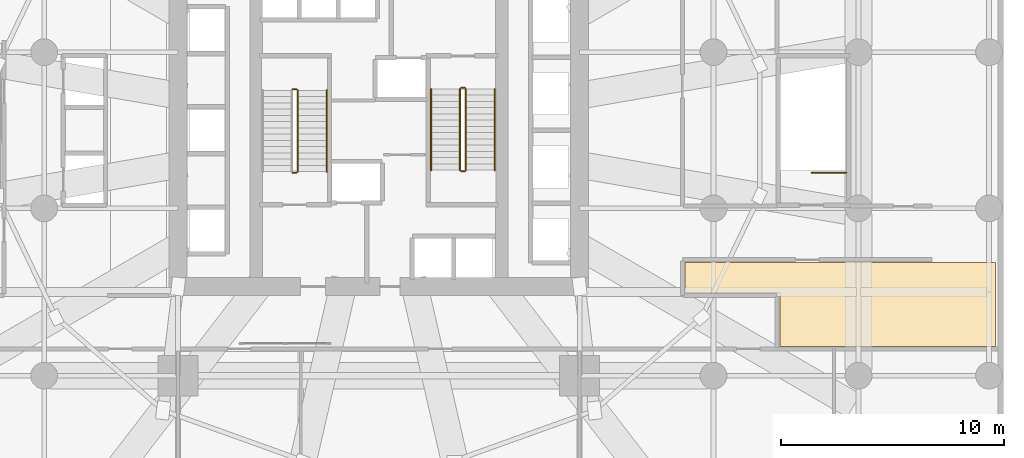
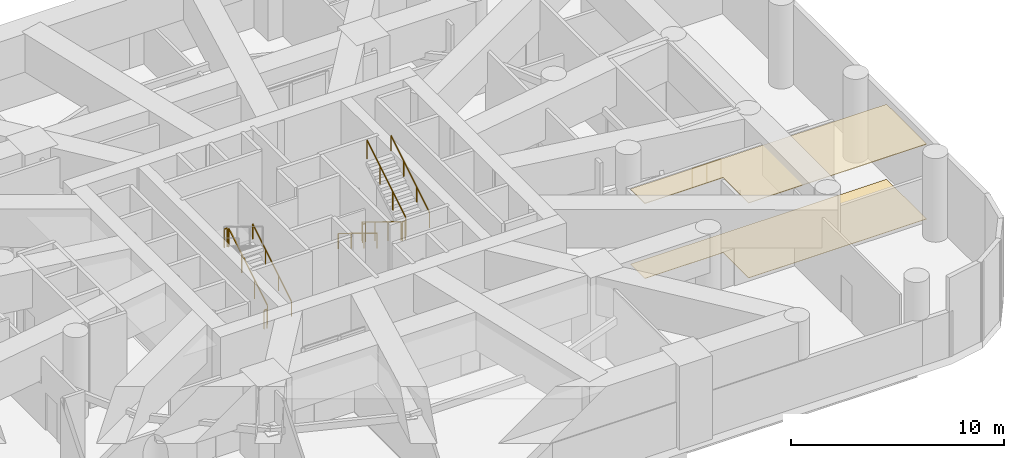
# One storey, part 10 of 10: 11 railings, 2 coverings.
"""IFC4 building model written with IfcOpenShell, lengths in metres."""

from ifc_helpers import new_model, si_unit, direction, frame, origin, origin_2d, place, context, subcontext, project, spatial, polyline, rectangle, outline, extrude, material, layer, layer_set, type_object, element, save


model = new_model("IFC4")

# Units and contexts
model_context = context("Model", 3, precision=1e-05, world=origin(), true_north=direction((0.0, 1.0)))
body_context = subcontext(model_context, "Body", "Model", "MODEL_VIEW")
ifc_project = project(units=[si_unit("LENGTHUNIT", "METRE"), si_unit("AREAUNIT", "SQUARE_METRE"), si_unit("VOLUMEUNIT", "CUBIC_METRE"), si_unit("PLANEANGLEUNIT", "RADIAN"), si_unit("MASSUNIT", "GRAM", prefix="KILO")], contexts=[model_context])

# Site, building, storey
site_placement = place(None, origin())
site = spatial("IfcSite", under=ifc_project, at=site_placement, CompositionType="ELEMENT")
building_placement = place(site_placement, origin())
building = spatial("IfcBuilding", under=site, at=building_placement, Name="Veldorim Arch Residences", CompositionType="ELEMENT")
storey_placement = place(building_placement, frame((0.0, 0.0, 20.0)))
storey = spatial("IfcBuildingStorey", under=building, at=storey_placement, Name="L05", CompositionType="ELEMENT", Elevation=20.0)

# Railings
ifc_material_1 = material(Name="Steel S355", Category="steel")
railing_type_1 = type_object("IfcRailingType", Name="Galvanised Steel Stair Safety Guardrail 1100", PredefinedType="GUARDRAIL", material=ifc_material_1)
railing_1_placement = place(storey_placement, frame((28.360107421875, 22.14990234375, 0.17138671875)))
element("IfcRailing", 1, at=railing_1_placement, inside=storey, type_object=railing_type_1, Name="L05 ST-1 stair guard 1", PredefinedType="GUARDRAIL", context=body_context, shape_type="SweptSolid", body=[
    extrude(rectangle(XDim=0.048095703125, YDim=0.048095703125, at=origin_2d()), frame((0.0, 0.0, 1.076171875), z_axis=(0.0, 0.852865859571, 0.52213008492), x_axis=(-1.0, 0.0, 0.0)), (0.0, 0.0, 1.0), 4.26806640625),
    extrude(rectangle(XDim=0.0419921875, YDim=0.0419921875, at=origin_2d()), origin(), (0.0, 0.0, 1.0), 1.052001953125),
    extrude(rectangle(XDim=0.0419921875, YDim=0.0419921875, at=origin_2d()), frame((0.0, 1.21337890625, 0.742919921875)), (0.0, 0.0, 1.0), 1.052001953125),
    extrude(rectangle(XDim=0.0419921875, YDim=0.0419921875, at=origin_2d()), frame((0.0, 2.4267578125, 1.485595703125)), (0.0, 0.0, 1.0), 1.052001953125),
    extrude(rectangle(XDim=0.0419921875, YDim=0.0419921875, at=origin_2d()), frame((0.0, 3.64013671875, 2.228515625)), (0.0, 0.0, 1.0), 1.052001953125),
])
for number, where, name in (
    (2, (28.31005859375, 25.840087890625, 2.39990234375), "L05 ST-1 stair guard 2"),
    (3, (28.31005859375, 22.10009765625, 0.0), "L05 ST-1 stair guard 4"),
):
    element("IfcRailing", number, at=place(storey_placement, frame(where)), inside=storey, type_object=railing_type_1, Name=name, PredefinedType="GUARDRAIL", context=body_context, shape_type="SweptSolid", body=[
        extrude(rectangle(XDim=0.048095703125, YDim=0.048095703125, at=origin_2d()), frame((0.0, 0.0, 1.076171875), z_axis=(-1.0, 0.0, 0.0), x_axis=(0.0, -1.0, 0.0)), (0.0, 0.0, 1.0), 0.16015625),
        extrude(rectangle(XDim=0.0419921875, YDim=0.0419921875, at=origin_2d()), origin(), (0.0, 0.0, 1.0), 1.052001953125),
        extrude(rectangle(XDim=0.0419921875, YDim=0.0419921875, at=origin_2d()), frame((-0.16015625, 0.0, 0.0)), (0.0, 0.0, 1.0), 1.052001953125),
    ])
railing_2_placement = place(storey_placement, frame((35.639892578125, 25.85009765625, 0.17138671875)))
element("IfcRailing", 4, at=railing_2_placement, inside=storey, type_object=railing_type_1, Name="L05 ST-2 stair guard 1", PredefinedType="GUARDRAIL", context=body_context, shape_type="SweptSolid", body=[
    extrude(rectangle(XDim=0.048095703125, YDim=0.048095703125, at=origin_2d()), frame((0.0, 0.0, 1.076171875), z_axis=(0.0, -0.852865859571, 0.52213008492), x_axis=(1.0, 0.0, 0.0)), (0.0, 0.0, 1.0), 4.26806640625),
    extrude(rectangle(XDim=0.0419921875, YDim=0.0419921875, at=origin_2d()), origin(), (0.0, 0.0, 1.0), 1.052001953125),
    extrude(rectangle(XDim=0.0419921875, YDim=0.0419921875, at=origin_2d()), frame((0.0, -1.21337890625, 0.742919921875)), (0.0, 0.0, 1.0), 1.052001953125),
    extrude(rectangle(XDim=0.0419921875, YDim=0.0419921875, at=origin_2d()), frame((0.0, -2.4267578125, 1.485595703125)), (0.0, 0.0, 1.0), 1.052001953125),
    extrude(rectangle(XDim=0.0419921875, YDim=0.0419921875, at=origin_2d()), frame((0.0, -3.64013671875, 2.228515625)), (0.0, 0.0, 1.0), 1.052001953125),
])
railing_3_placement = place(storey_placement, frame((35.68994140625, 22.159912109375, 2.39990234375)))
element("IfcRailing", 5, at=railing_3_placement, inside=storey, type_object=railing_type_1, Name="L05 ST-2 stair guard 2", PredefinedType="GUARDRAIL", context=body_context, shape_type="SweptSolid", body=[
    extrude(rectangle(XDim=0.048095703125, YDim=0.048095703125, at=origin_2d()), frame((0.0, 0.0, 1.076171875), z_axis=(1.0, 0.0, 0.0), x_axis=(0.0, 1.0, 0.0)), (0.0, 0.0, 1.0), 0.16015625),
    extrude(rectangle(XDim=0.0419921875, YDim=0.0419921875, at=origin_2d()), origin(), (0.0, 0.0, 1.0), 1.052001953125),
    extrude(rectangle(XDim=0.0419921875, YDim=0.0419921875, at=origin_2d()), frame((0.16015625, 0.0, 0.0)), (0.0, 0.0, 1.0), 1.052001953125),
])
railing_4_placement = place(storey_placement, frame((35.89990234375, 22.2099609375, 2.571533203125)))
element("IfcRailing", 6, at=railing_4_placement, inside=storey, type_object=railing_type_1, Name="L05 ST-2 stair guard 3", PredefinedType="GUARDRAIL", context=body_context, shape_type="SweptSolid", body=[
    extrude(rectangle(XDim=0.048095703125, YDim=0.048095703125, at=origin_2d()), frame((0.0, 0.0, 1.076171875), z_axis=(0.0, 0.852865859571, 0.52213008492), x_axis=(-1.0, 0.0, 0.0)), (0.0, 0.0, 1.0), 4.26806640625),
    extrude(rectangle(XDim=0.0419921875, YDim=0.0419921875, at=origin_2d()), origin(), (0.0, 0.0, 1.0), 1.052001953125),
    extrude(rectangle(XDim=0.0419921875, YDim=0.0419921875, at=origin_2d()), frame((0.0, 1.21337890625, 0.742919921875)), (0.0, 0.0, 1.0), 1.052001953125),
    extrude(rectangle(XDim=0.0419921875, YDim=0.0419921875, at=origin_2d()), frame((0.0, 2.4267578125, 1.485595703125)), (0.0, 0.0, 1.0), 1.052001953125),
    extrude(rectangle(XDim=0.0419921875, YDim=0.0419921875, at=origin_2d()), frame((0.0, 3.64013671875, 2.228515625)), (0.0, 0.0, 1.0), 1.052001953125),
])
railing_5_placement = place(storey_placement, frame((35.68994140625, 25.89990234375, 0.0)))
element("IfcRailing", 7, at=railing_5_placement, inside=storey, type_object=railing_type_1, Name="L05 ST-2 stair guard 4", PredefinedType="GUARDRAIL", context=body_context, shape_type="SweptSolid", body=[
    extrude(rectangle(XDim=0.048095703125, YDim=0.048095703125, at=origin_2d()), frame((0.0, 0.0, 1.076171875), z_axis=(1.0, 0.0, 0.0), x_axis=(0.0, 1.0, 0.0)), (0.0, 0.0, 1.0), 0.16015625),
    extrude(rectangle(XDim=0.0419921875, YDim=0.0419921875, at=origin_2d()), origin(), (0.0, 0.0, 1.0), 1.052001953125),
    extrude(rectangle(XDim=0.0419921875, YDim=0.0419921875, at=origin_2d()), frame((0.16015625, 0.0, 0.0)), (0.0, 0.0, 1.0), 1.052001953125),
])
railing_6_placement = place(storey_placement, frame((52.9599609375, 22.10009765625, 0.0)))
element("IfcRailing", 8, at=railing_6_placement, inside=storey, type_object=railing_type_1, Name="L05 ST-3 top well guard 1", PredefinedType="GUARDRAIL", context=body_context, shape_type="SweptSolid", body=[
    extrude(rectangle(XDim=0.048095703125, YDim=0.048095703125, at=origin_2d()), frame((0.0, 0.0, 1.076171875), z_axis=(-1.0, 0.0, 0.0), x_axis=(0.0, -1.0, 0.0)), (0.0, 0.0, 1.0), 1.56005859375),
    extrude(rectangle(XDim=0.0419921875, YDim=0.0419921875, at=origin_2d()), origin(), (0.0, 0.0, 1.0), 1.052001953125),
    extrude(rectangle(XDim=0.0419921875, YDim=0.0419921875, at=origin_2d()), frame((-0.780029296875, 0.0, 0.0)), (0.0, 0.0, 1.0), 1.052001953125),
    extrude(rectangle(XDim=0.0419921875, YDim=0.0419921875, at=origin_2d()), frame((-1.56005859375, 0.0, 0.0)), (0.0, 0.0, 1.0), 1.052001953125),
])

# Coverings
ifc_material_2 = material(Name="Acoustic Gypsum & Mineral Fibre", Category="gypsum")
ifc_layer_1 = layer(ifc_material_2, 0.034912109375, Name="Perforated Acoustic Mineral-Fibre Ceiling 35")
ifc_layer_set_1 = layer_set([ifc_layer_1], Name="Acoustic Gypsum & Mineral Fibre")
covering_type_1 = type_object("IfcCoveringType", Name="Perforated Acoustic Mineral-Fibre Ceiling 35", PredefinedType="CEILING", material=ifc_layer_set_1)
covering_1_placement = place(storey_placement, frame((0.0, 0.0, 4.294921875)))
element("IfcCovering", 9, at=covering_1_placement, inside=storey, type_object=covering_type_1, Name="L05 acoustic suspended ceiling 04", PredefinedType="CEILING", context=body_context, shape_type="SweptSolid", body=[
    extrude(outline(polyline([(49.969970703125, 16.719970703125), (45.719970703125, 16.719970703125), (45.719970703125, 18.080078125), (59.6298828125, 18.080078125), (59.6298828125, 14.320068359375), (49.969970703125, 14.320068359375), (49.969970703125, 16.719970703125)])), origin(), (0.0, 0.0, 1.0), 0.03515625),
])
ifc_material_3 = material(Name="Porcelain Ceramic Tile", Category="ceramic")
ifc_layer_2 = layer(ifc_material_3, 0.02001953125, Name="Slip-Resistant Porcelain & Vinyl Floor Finish 20")
ifc_layer_set_2 = layer_set([ifc_layer_2], Name="Porcelain Ceramic Tile")
covering_type_2 = type_object("IfcCoveringType", Name="Slip-Resistant Porcelain & Vinyl Floor Finish 20", PredefinedType="FLOORING", material=ifc_layer_set_2)
covering_2_placement = place(storey_placement, origin())
element("IfcCovering", 10, at=covering_2_placement, inside=storey, type_object=covering_type_2, Name="L05 porcelain floor finish 04", PredefinedType="FLOORING", context=body_context, shape_type="SweptSolid", body=[
    extrude(outline(polyline([(49.969970703125, 16.719970703125), (45.719970703125, 16.719970703125), (45.719970703125, 18.080078125), (59.6298828125, 18.080078125), (59.6298828125, 14.320068359375), (49.969970703125, 14.320068359375), (49.969970703125, 16.719970703125)])), origin(), (0.0, 0.0, 1.0), 0.02001953125),
])

# Railings
ifc_material_4 = material(Name="Stainless Steel", Category="steel")
railing_type_2 = type_object("IfcRailingType", Name="Tubular Steel Continuous Wall Handrail 900", PredefinedType="HANDRAIL", material=ifc_material_4)
railing_7_placement = place(storey_placement, frame((29.659912109375, 22.14990234375, 0.17138671875)))
element("IfcRailing", 11, at=railing_7_placement, inside=storey, type_object=railing_type_2, Name="L05 ST-1 stair handrail 1", PredefinedType="HANDRAIL", context=body_context, shape_type="SweptSolid", body=[
    extrude(rectangle(XDim=0.048095703125, YDim=0.048095703125, at=origin_2d()), frame((0.0, 0.0, 0.8759765625), z_axis=(0.0, 0.852865859571, 0.52213008492), x_axis=(-1.0, 0.0, 0.0)), (0.0, 0.0, 1.0), 4.26806640625),
    extrude(rectangle(XDim=0.0419921875, YDim=0.0419921875, at=origin_2d()), origin(), (0.0, 0.0, 1.0), 0.851806640625),
    extrude(rectangle(XDim=0.0419921875, YDim=0.0419921875, at=origin_2d()), frame((0.0, 1.21337890625, 0.742919921875)), (0.0, 0.0, 1.0), 0.851806640625),
    extrude(rectangle(XDim=0.0419921875, YDim=0.0419921875, at=origin_2d()), frame((0.0, 2.4267578125, 1.485595703125)), (0.0, 0.0, 1.0), 0.851806640625),
    extrude(rectangle(XDim=0.0419921875, YDim=0.0419921875, at=origin_2d()), frame((0.0, 3.64013671875, 2.228515625)), (0.0, 0.0, 1.0), 0.851806640625),
])
railing_8_placement = place(storey_placement, frame((34.340087890625, 25.85009765625, 0.17138671875)))
element("IfcRailing", 12, at=railing_8_placement, inside=storey, type_object=railing_type_2, Name="L05 ST-2 stair handrail 1", PredefinedType="HANDRAIL", context=body_context, shape_type="SweptSolid", body=[
    extrude(rectangle(XDim=0.048095703125, YDim=0.048095703125, at=origin_2d()), frame((0.0, 0.0, 0.8759765625), z_axis=(0.0, -0.852865859571, 0.52213008492), x_axis=(1.0, 0.0, 0.0)), (0.0, 0.0, 1.0), 4.26806640625),
    extrude(rectangle(XDim=0.0419921875, YDim=0.0419921875, at=origin_2d()), origin(), (0.0, 0.0, 1.0), 0.851806640625),
    extrude(rectangle(XDim=0.0419921875, YDim=0.0419921875, at=origin_2d()), frame((0.0, -1.21337890625, 0.742919921875)), (0.0, 0.0, 1.0), 0.851806640625),
    extrude(rectangle(XDim=0.0419921875, YDim=0.0419921875, at=origin_2d()), frame((0.0, -2.4267578125, 1.485595703125)), (0.0, 0.0, 1.0), 0.851806640625),
    extrude(rectangle(XDim=0.0419921875, YDim=0.0419921875, at=origin_2d()), frame((0.0, -3.64013671875, 2.228515625)), (0.0, 0.0, 1.0), 0.851806640625),
])
railing_9_placement = place(storey_placement, frame((37.199951171875, 22.2099609375, 2.571533203125)))
element("IfcRailing", 13, at=railing_9_placement, inside=storey, type_object=railing_type_2, Name="L05 ST-2 stair handrail 2", PredefinedType="HANDRAIL", context=body_context, shape_type="SweptSolid", body=[
    extrude(rectangle(XDim=0.048095703125, YDim=0.048095703125, at=origin_2d()), frame((0.0, 0.0, 0.8759765625), z_axis=(0.0, 0.852865859571, 0.52213008492), x_axis=(-1.0, 0.0, 0.0)), (0.0, 0.0, 1.0), 4.26806640625),
    extrude(rectangle(XDim=0.0419921875, YDim=0.0419921875, at=origin_2d()), origin(), (0.0, 0.0, 1.0), 0.851806640625),
    extrude(rectangle(XDim=0.0419921875, YDim=0.0419921875, at=origin_2d()), frame((0.0, 1.21337890625, 0.742919921875)), (0.0, 0.0, 1.0), 0.851806640625),
    extrude(rectangle(XDim=0.0419921875, YDim=0.0419921875, at=origin_2d()), frame((0.0, 2.4267578125, 1.485595703125)), (0.0, 0.0, 1.0), 0.851806640625),
    extrude(rectangle(XDim=0.0419921875, YDim=0.0419921875, at=origin_2d()), frame((0.0, 3.64013671875, 2.228515625)), (0.0, 0.0, 1.0), 0.851806640625),
])

save(model, "model.ifc")
